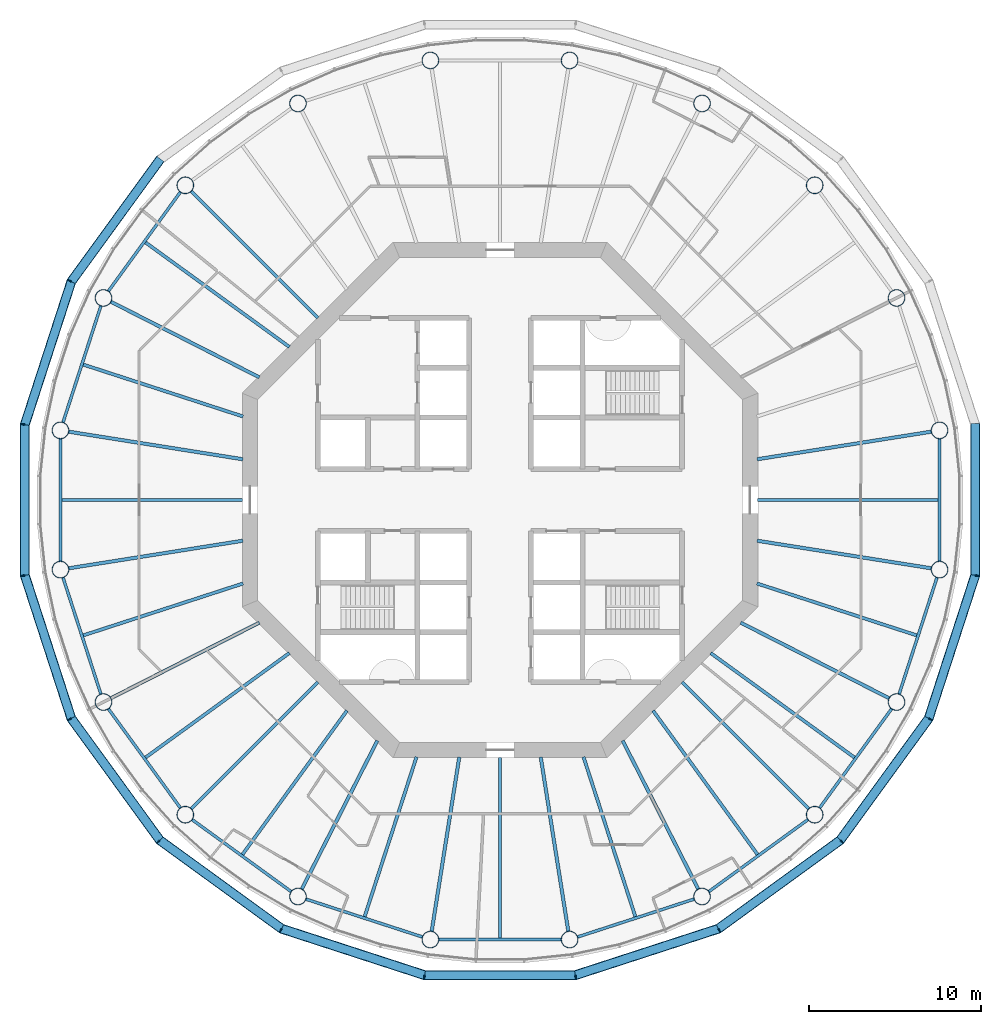
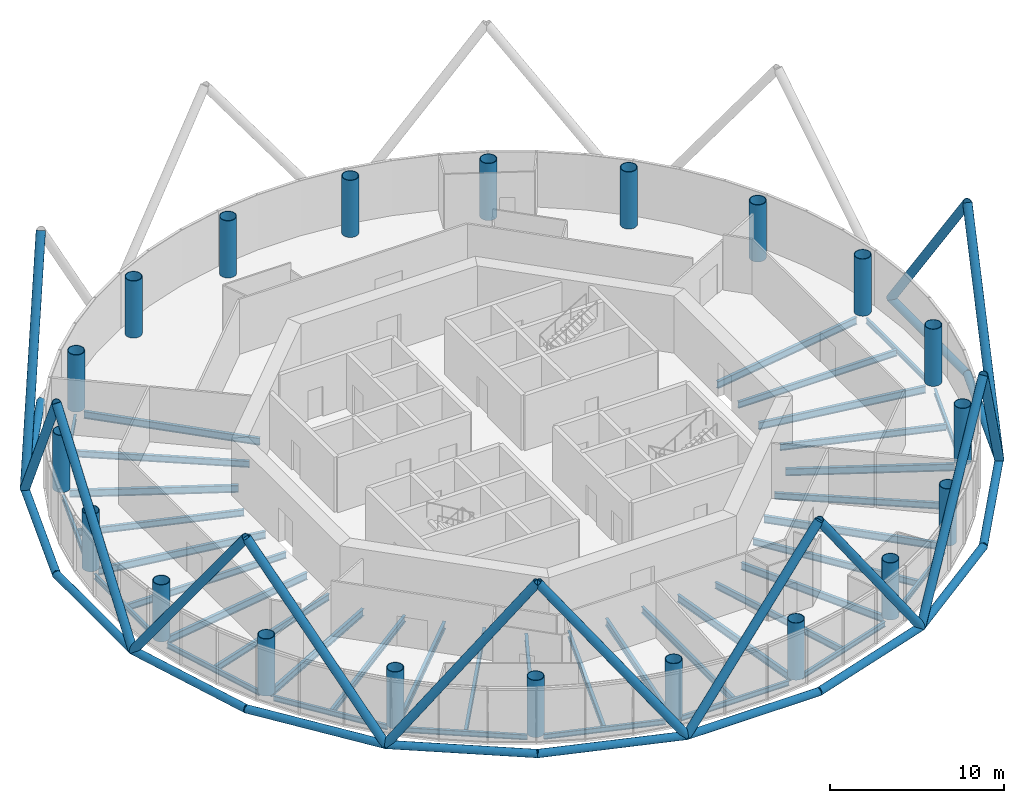
# One storey, part 1 of 13: 40 beams, 26 members, 20 columns.
"""IFC4 building model written with IfcOpenShell, lengths in metres."""

from ifc_helpers import new_model, si_unit, direction, frame, origin, origin_2d, place, context, subcontext, project, spatial, circle, hollow_circle, i_section, extrude, material, material_profile, profile_set, type_object, element, save


model = new_model("IFC4")

# Units and contexts
model_context = context("Model", 3, precision=1e-05, world=origin(), true_north=direction((0.0, 1.0)))
body_context = subcontext(model_context, "Body", "Model", "MODEL_VIEW")
ifc_project = project(units=[si_unit("LENGTHUNIT", "METRE"), si_unit("AREAUNIT", "SQUARE_METRE"), si_unit("VOLUMEUNIT", "CUBIC_METRE"), si_unit("PLANEANGLEUNIT", "RADIAN"), si_unit("MASSUNIT", "GRAM", prefix="KILO")], contexts=[model_context])

# Site, building, storey
site_placement = place(None, origin())
site = spatial("IfcSite", under=ifc_project, at=site_placement, CompositionType="ELEMENT")
building_placement = place(site_placement, origin())
building = spatial("IfcBuilding", under=site, at=building_placement, Name="Entoto Ring Tower", CompositionType="ELEMENT")
storey_placement = place(building_placement, frame((0.0, 0.0, 250.0)))
storey = spatial("IfcBuildingStorey", under=building, at=storey_placement, Name="L57", CompositionType="ELEMENT", Elevation=250.0)

# Columns
ifc_material_1 = material(Name="Steel S355", Category="steel")
ifc_material_profile_1 = material_profile(ifc_material_1, hollow_circle(Radius=0.5, WallThickness=0.0400390625, at=origin_2d()), Name="CHS 1000 x 40")
ifc_material_2 = material(Name="Concrete C60/75", Category="concrete")
ifc_material_profile_2 = material_profile(ifc_material_2, circle(Radius=0.4599609375, at=origin_2d()), Name="Concrete C60/75 infill")
ifc_profile_set_1 = profile_set([ifc_material_profile_1, ifc_material_profile_2], Name="Steel S355")
column_type = type_object("IfcColumnType", Name="Ring column 1000 x 40 concrete-filled tube", PredefinedType="COLUMN", material=ifc_profile_set_1)
for number, where, z_axis, x_axis, name in (
    (1, (115.5810546875, 84.0517578125, 0.0), (0.0, 0.0, 1.0), (1.0, 0.0, 0.0), "RC4 R01"),
    (2, (113.0771484375, 91.75830078125, 0.0), (0.0, 0.0, 1.0), (1.0, 0.0, 0.0), "RC4 R02"),
    (3, (108.31396484375, 98.31396484375, 0.0), (0.0, 0.0, 1.0), (1.0, 0.0, 0.0), "RC4 R03"),
    (4, (101.75830078125, 103.0771484375, 0.0), (0.0, 0.0, 1.0), (1.0, 0.0, 0.0), "RC4 R04"),
    (5, (94.0517578125, 105.5810546875, 0.0), (0.0, 0.0, 1.0), (1.0, 0.0, 0.0), "RC4 R05"),
    (6, (85.9482421875, 105.5810546875, 0.0), (0.0, 0.0, 1.0), (1.0, 0.0, 0.0), "RC4 R06"),
    (7, (78.24169921875, 103.0771484375, 0.0), (0.0, 0.0, 1.0), (1.0, 0.0, 0.0), "RC4 R07"),
    (8, (71.68603515625, 98.31396484375, 0.0), (0.0, 0.0, 1.0), (1.0, 0.0, 0.0), "RC4 R08"),
    (9, (66.9228515625, 91.75830078125, 0.0), (0.0, 0.0, 1.0), (1.0, 0.0, 0.0), "RC4 R09"),
    (10, (64.4189453125, 84.0517578125, 0.0), (0.0, 0.0, 1.0), (1.0, 0.0, 0.0), "RC4 R10"),
    (11, (64.4189453125, 75.9482421875, 0.0), (0.0, 0.0, 1.0), (1.0, 0.0, 0.0), "RC4 R11"),
    (12, (66.9228515625, 68.24169921875, 0.0), (0.0, 0.0, 1.0), (1.0, 0.0, 0.0), "RC4 R12"),
    (13, (71.68603515625, 61.68603515625, 0.0), (0.0, 0.0, 1.0), (1.0, 0.0, 0.0), "RC4 R13"),
    (14, (78.24169921875, 56.9228515625, 0.0), (0.0, 0.0, 1.0), (1.0, 0.0, 0.0), "RC4 R14"),
    (15, (85.9482421875, 54.4189453125, 0.0), (0.0, 0.0, 1.0), (1.0, 0.0, 0.0), "RC4 R15"),
    (16, (94.0517578125, 54.4189453125, 0.0), (0.0, 0.0, 1.0), (1.0, 0.0, 0.0), "RC4 R16"),
    (17, (101.75830078125, 56.9228515625, 0.0), (0.0, 0.0, 1.0), (1.0, 0.0, 0.0), "RC4 R17"),
    (18, (108.31396484375, 61.68603515625, 0.0), (0.0, 0.0, 1.0), (1.0, 0.0, 0.0), "RC4 R18"),
    (19, (113.0771484375, 68.24169921875, 0.0), (0.0, 0.0, 1.0), (1.0, 0.0, 0.0), "RC4 R19"),
    (20, (115.5810546875, 75.9482421875, 0.0), (0.0, 0.0, 1.0), (1.0, 0.0, 0.0), "RC4 R20"),
):
    element("IfcColumn", number, at=place(storey_placement, frame(where, z_axis=z_axis, x_axis=x_axis)), inside=storey, type_object=column_type, Name=name, PredefinedType="COLUMN", context=body_context, shape_type="SweptSolid", body=[
        extrude(hollow_circle(Radius=0.5, WallThickness=0.0400390625, at=origin_2d()), origin(), (0.0, 0.0, 1.0), 4.0),
    ])

# Members
ifc_material_3 = material(Name="Steel S355", Category="steel")
ifc_material_profile_3 = material_profile(ifc_material_3, hollow_circle(Radius=0.279541015625, WallThickness=0.028076171875, at=origin_2d()), Name="CHS 559 x 28")
ifc_material_4 = material(Name="Concrete C60/75", Category="concrete")
ifc_material_profile_4 = material_profile(ifc_material_4, circle(Radius=0.25146484375, at=origin_2d()), Name="Concrete C60/75 infill")
ifc_profile_set_2 = profile_set([ifc_material_profile_3, ifc_material_profile_4], Name="Steel S355")
member_type_1 = type_object("IfcMemberType", Name="Diagrid diagonal 559 x 28 concrete-filled tube", PredefinedType="BRACE", material=ifc_profile_set_2)
for number, where, z_axis, x_axis, name in (
    (21, (117.6552734375, 84.380126953125, 0.0), (0.0, -0.589622651769, 0.807678852342), (1.0, 0.0, 0.0), "DG5A module 19 01"),
    (22, (65.0517578125, 92.711669921875, 0.0), (0.346570479178, 0.477025319356, 0.807673045022), (-0.809024012567, 0.587775592458, 0.0), "DG5A module 19 09"),
    (23, (65.0517578125, 92.711669921875, 0.0), (-0.182200752594, -0.56076685453, 0.807677795049), (0.95105823263, -0.309011711991, 0.0), "DG5A module 19 10"),
    (24, (62.3447265625, 75.619873046875, 0.0), (0.0, 0.589622651769, 0.807678852342), (-1.0, 0.0, 0.0), "DG5A module 19 11"),
    (25, (62.3447265625, 75.619873046875, 0.0), (0.182200752594, -0.56076685453, 0.807677795049), (0.95105823263, 0.309011711991, 0.0), "DG5A module 19 12"),
    (26, (70.200927734375, 60.200927734375, 0.0), (-0.346570479178, 0.477025319356, 0.807673045022), (-0.809024012567, -0.587775592458, 0.0), "DG5A module 19 13"),
    (27, (70.200927734375, 60.200927734375, 0.0), (0.477025319356, -0.346570479178, 0.807673045022), (0.587775592458, 0.809024012567, 0.0), "DG5A module 19 14"),
    (28, (85.619873046875, 52.3447265625, 0.0), (-0.56076685453, 0.182200752594, 0.807677795049), (-0.309011711991, -0.95105823263, 0.0), "DG5A module 19 15"),
    (29, (85.619873046875, 52.3447265625, 0.0), (0.589622651769, 0.0, 0.807678852342), (0.0, 1.0, 0.0), "DG5A module 19 16"),
    (30, (102.711669921875, 55.0517578125, 0.0), (-0.56076685453, -0.182200752594, 0.807677795049), (0.309011711991, -0.95105823263, 0.0), "DG5A module 19 17"),
    (31, (102.711669921875, 55.0517578125, 0.0), (0.477025319356, 0.346570479178, 0.807673045022), (-0.587775592458, 0.809024012567, 0.0), "DG5A module 19 18"),
    (32, (114.9482421875, 67.288330078125, 0.0), (-0.346570479178, -0.477025319356, 0.807673045022), (0.809024012567, -0.587775592458, 0.0), "DG5A module 19 19"),
    (33, (114.9482421875, 67.288330078125, 0.0), (0.182200752594, 0.56076685453, 0.807677795049), (-0.95105823263, 0.309011711991, 0.0), "DG5A module 19 20"),
):
    element("IfcMember", number, at=place(storey_placement, frame(where, z_axis=z_axis, x_axis=x_axis)), inside=storey, type_object=member_type_1, Name=name, PredefinedType="BRACE", context=body_context, shape_type="SweptSolid", body=[
        extrude(hollow_circle(Radius=0.279541015625, WallThickness=0.028076171875, at=origin_2d()), origin(), (0.0, 0.0, 1.0), 14.857421875),
    ])
ifc_material_5 = material(Name="Steel S355", Category="steel")
ifc_material_profile_5 = material_profile(ifc_material_5, hollow_circle(Radius=0.25390625, WallThickness=0.030029296875, at=origin_2d()), Name="CHS 508 x 30")
ifc_material_6 = material(Name="Concrete C60/75", Category="concrete")
ifc_material_profile_6 = material_profile(ifc_material_6, circle(Radius=0.22412109375, at=origin_2d()), Name="Concrete C60/75 infill")
ifc_profile_set_3 = profile_set([ifc_material_profile_5, ifc_material_profile_6], Name="Steel S355")
member_type_2 = type_object("IfcMemberType", Name="Diagrid ring beam 508 x 30", PredefinedType="CHORD", material=ifc_profile_set_3)
for number, where, z_axis, x_axis, name in (
    (34, (70.236328125, 99.84765625, 0.0), (-0.587790766961, -0.809012987705, 0.0), (0.809012987705, -0.587790766961, 0.0), "DR2 ring 18 08"),
    (35, (65.0703125, 92.76904296875, 0.0), (-0.309002151976, -0.951061338755, 0.0), (0.951061338755, -0.309002151976, 0.0), "DR2 ring 18 09"),
):
    element("IfcMember", number, at=place(storey_placement, frame(where, z_axis=z_axis, x_axis=x_axis)), inside=storey, type_object=member_type_2, Name=name, PredefinedType="CHORD", context=body_context, shape_type="SweptSolid", body=[
        extrude(hollow_circle(Radius=0.25390625, WallThickness=0.030029296875, at=origin_2d()), origin(), (0.0, 0.0, 1.0), 8.880615234375),
    ])
member_1_placement = place(storey_placement, frame((62.3447265625, 84.4404296875, 0.0), z_axis=(0.0, -1.0, 0.0), x_axis=(1.0, 0.0, 0.0)))
element("IfcMember", 36, at=member_1_placement, inside=storey, type_object=member_type_2, Name="DR2 ring 18 10", PredefinedType="CHORD", context=body_context, shape_type="SweptSolid", body=[
    extrude(hollow_circle(Radius=0.25390625, WallThickness=0.030029296875, at=origin_2d()), origin(), (0.0, 0.0, 1.0), 8.880859375),
])
for number, where, z_axis, x_axis, name in (
    (37, (62.326171875, 75.677001953125, 0.0), (0.309002151976, -0.951061338755, 0.0), (0.951061338755, 0.309002151976, 0.0), "DR2 ring 18 11"),
    (38, (65.016357421875, 67.3369140625, 0.0), (0.587790766961, -0.809012987705, 0.0), (0.809012987705, 0.587790766961, 0.0), "DR2 ring 18 12"),
    (39, (70.15234375, 60.236328125, 0.0), (0.809012987705, -0.587790766961, 0.0), (0.587790766961, 0.809012987705, 0.0), "DR2 ring 18 13"),
    (40, (77.23095703125, 55.0703125, 0.0), (0.951061338755, -0.309002151976, 0.0), (0.309002151976, 0.951061338755, 0.0), "DR2 ring 18 14"),
):
    element("IfcMember", number, at=place(storey_placement, frame(where, z_axis=z_axis, x_axis=x_axis)), inside=storey, type_object=member_type_2, Name=name, PredefinedType="CHORD", context=body_context, shape_type="SweptSolid", body=[
        extrude(hollow_circle(Radius=0.25390625, WallThickness=0.030029296875, at=origin_2d()), origin(), (0.0, 0.0, 1.0), 8.880615234375),
    ])
member_2_placement = place(storey_placement, frame((85.5595703125, 52.3447265625, 0.0), z_axis=(1.0, 0.0, 0.0), x_axis=(0.0, 1.0, 0.0)))
element("IfcMember", 41, at=member_2_placement, inside=storey, type_object=member_type_2, Name="DR2 ring 18 15", PredefinedType="CHORD", context=body_context, shape_type="SweptSolid", body=[
    extrude(hollow_circle(Radius=0.25390625, WallThickness=0.030029296875, at=origin_2d()), origin(), (0.0, 0.0, 1.0), 8.880859375),
])
for number, where, z_axis, x_axis, name in (
    (42, (94.322998046875, 52.326171875, 0.0), (0.951061338755, 0.309002151976, 0.0), (-0.309002151976, 0.951061338755, 0.0), "DR2 ring 18 16"),
    (43, (102.6630859375, 55.016357421875, 0.0), (0.809012987705, 0.587790766961, 0.0), (-0.587790766961, 0.809012987705, 0.0), "DR2 ring 18 17"),
    (44, (109.763671875, 60.15234375, 0.0), (0.587790766961, 0.809012987705, 0.0), (-0.809012987705, 0.587790766961, 0.0), "DR2 ring 18 18"),
    (45, (114.9296875, 67.23095703125, 0.0), (0.309002151976, 0.951061338755, 0.0), (-0.951061338755, 0.309002151976, 0.0), "DR2 ring 18 19"),
):
    element("IfcMember", number, at=place(storey_placement, frame(where, z_axis=z_axis, x_axis=x_axis)), inside=storey, type_object=member_type_2, Name=name, PredefinedType="CHORD", context=body_context, shape_type="SweptSolid", body=[
        extrude(hollow_circle(Radius=0.25390625, WallThickness=0.030029296875, at=origin_2d()), origin(), (0.0, 0.0, 1.0), 8.880615234375),
    ])
member_3_placement = place(storey_placement, frame((117.6552734375, 75.5595703125, 0.0), z_axis=(0.0, 1.0, 0.0), x_axis=(-1.0, 0.0, 0.0)))
element("IfcMember", 46, at=member_3_placement, inside=storey, type_object=member_type_2, Name="DR2 ring 18 20", PredefinedType="CHORD", context=body_context, shape_type="SweptSolid", body=[
    extrude(hollow_circle(Radius=0.25390625, WallThickness=0.030029296875, at=origin_2d()), origin(), (0.0, 0.0, 1.0), 8.880859375),
])

# Beams
ifc_material_7 = material(Name="Steel S355", Category="steel")
ifc_material_profile_7 = material_profile(ifc_material_7, i_section(OverallWidth=0.169921875, OverallDepth=0.360107421875, WebThickness=0.008056640625, FlangeThickness=0.0126953125, FilletRadius=0.01806640625, at=origin_2d()), Name="IPE 360")
ifc_profile_set_4 = profile_set([ifc_material_profile_7], Name="Steel S355")
beam_type_1 = type_object("IfcBeamType", Name="Edge beam IPE 360", PredefinedType="SPANDREL", material=ifc_profile_set_4)
beam_1_placement = place(storey_placement, frame((71.408203125, 97.931640625, -0.330078125), z_axis=(-0.587794432314, -0.809010324619, 0.0), x_axis=(0.809010324619, -0.587794432314, 0.0)))
element("IfcBeam", 47, at=beam_1_placement, inside=storey, type_object=beam_type_1, Name="Edge beam L57 08", PredefinedType="SPANDREL", context=body_context, shape_type="SweptSolid", body=[
    extrude(i_section(OverallWidth=0.169921875, OverallDepth=0.360107421875, WebThickness=0.008056640625, FlangeThickness=0.0126953125, FilletRadius=0.01806640625, at=origin_2d()), origin(), (0.0, 0.0, 1.0), 7.158203125),
])
beam_2_placement = place(storey_placement, frame((66.77685546875, 91.308837890625, -0.330078125), z_axis=(-0.309015118354, -0.951057125849, 0.0), x_axis=(0.951057125849, -0.309015118354, 0.0)))
element("IfcBeam", 48, at=beam_2_placement, inside=storey, type_object=beam_type_1, Name="Edge beam L57 09", PredefinedType="SPANDREL", context=body_context, shape_type="SweptSolid", body=[
    extrude(i_section(OverallWidth=0.169921875, OverallDepth=0.360107421875, WebThickness=0.008056640625, FlangeThickness=0.0126953125, FilletRadius=0.01806640625, at=origin_2d()), origin(), (0.0, 0.0, 1.0), 7.157958984375),
])
beam_3_placement = place(storey_placement, frame((64.4189453125, 83.5791015625, -0.330078125), z_axis=(0.0, -1.0, 0.0), x_axis=(1.0, 0.0, 0.0)))
element("IfcBeam", 49, at=beam_3_placement, inside=storey, type_object=beam_type_1, Name="Edge beam L57 10", PredefinedType="SPANDREL", context=body_context, shape_type="SweptSolid", body=[
    extrude(i_section(OverallWidth=0.169921875, OverallDepth=0.360107421875, WebThickness=0.008056640625, FlangeThickness=0.0126953125, FilletRadius=0.01806640625, at=origin_2d()), origin(), (0.0, 0.0, 1.0), 7.158203125),
])
beam_4_placement = place(storey_placement, frame((64.56494140625, 75.498779296875, -0.330078125), z_axis=(0.309015118354, -0.951057125849, 0.0), x_axis=(0.951057125849, 0.309015118354, 0.0)))
element("IfcBeam", 50, at=beam_4_placement, inside=storey, type_object=beam_type_1, Name="Edge beam L57 11", PredefinedType="SPANDREL", context=body_context, shape_type="SweptSolid", body=[
    extrude(i_section(OverallWidth=0.169921875, OverallDepth=0.360107421875, WebThickness=0.008056640625, FlangeThickness=0.0126953125, FilletRadius=0.01806640625, at=origin_2d()), origin(), (0.0, 0.0, 1.0), 7.157958984375),
])
for number, where, z_axis, x_axis, name in (
    (51, (67.20068359375, 67.859375, -0.330078125), (0.587794432314, -0.809010324619, 0.0), (0.809010324619, 0.587794432314, 0.0), "Edge beam L57 12"),
    (52, (72.068359375, 61.408203125, -0.330078125), (0.809010324619, -0.587794432314, 0.0), (0.587794432314, 0.809010324619, 0.0), "Edge beam L57 13"),
):
    element("IfcBeam", number, at=place(storey_placement, frame(where, z_axis=z_axis, x_axis=x_axis)), inside=storey, type_object=beam_type_1, Name=name, PredefinedType="SPANDREL", context=body_context, shape_type="SweptSolid", body=[
        extrude(i_section(OverallWidth=0.169921875, OverallDepth=0.360107421875, WebThickness=0.008056640625, FlangeThickness=0.0126953125, FilletRadius=0.01806640625, at=origin_2d()), origin(), (0.0, 0.0, 1.0), 7.158203125),
    ])
beam_5_placement = place(storey_placement, frame((78.691162109375, 56.77685546875, -0.330078125), z_axis=(0.951057125849, -0.309015118354, 0.0), x_axis=(0.309015118354, 0.951057125849, 0.0)))
element("IfcBeam", 53, at=beam_5_placement, inside=storey, type_object=beam_type_1, Name="Edge beam L57 14", PredefinedType="SPANDREL", context=body_context, shape_type="SweptSolid", body=[
    extrude(i_section(OverallWidth=0.169921875, OverallDepth=0.360107421875, WebThickness=0.008056640625, FlangeThickness=0.0126953125, FilletRadius=0.01806640625, at=origin_2d()), origin(), (0.0, 0.0, 1.0), 7.157958984375),
])
beam_6_placement = place(storey_placement, frame((86.4208984375, 54.4189453125, -0.330078125), z_axis=(1.0, 0.0, 0.0), x_axis=(0.0, 1.0, 0.0)))
element("IfcBeam", 54, at=beam_6_placement, inside=storey, type_object=beam_type_1, Name="Edge beam L57 15", PredefinedType="SPANDREL", context=body_context, shape_type="SweptSolid", body=[
    extrude(i_section(OverallWidth=0.169921875, OverallDepth=0.360107421875, WebThickness=0.008056640625, FlangeThickness=0.0126953125, FilletRadius=0.01806640625, at=origin_2d()), origin(), (0.0, 0.0, 1.0), 7.158203125),
])
beam_7_placement = place(storey_placement, frame((94.501220703125, 54.56494140625, -0.330078125), z_axis=(0.951057125849, 0.309015118354, 0.0), x_axis=(-0.309015118354, 0.951057125849, 0.0)))
element("IfcBeam", 55, at=beam_7_placement, inside=storey, type_object=beam_type_1, Name="Edge beam L57 16", PredefinedType="SPANDREL", context=body_context, shape_type="SweptSolid", body=[
    extrude(i_section(OverallWidth=0.169921875, OverallDepth=0.360107421875, WebThickness=0.008056640625, FlangeThickness=0.0126953125, FilletRadius=0.01806640625, at=origin_2d()), origin(), (0.0, 0.0, 1.0), 7.157958984375),
])
for number, where, z_axis, x_axis, name in (
    (56, (102.140625, 57.20068359375, -0.330078125), (0.809010324619, 0.587794432314, 0.0), (-0.587794432314, 0.809010324619, 0.0), "Edge beam L57 17"),
    (57, (108.591796875, 62.068359375, -0.330078125), (0.587794432314, 0.809010324619, 0.0), (-0.809010324619, 0.587794432314, 0.0), "Edge beam L57 18"),
):
    element("IfcBeam", number, at=place(storey_placement, frame(where, z_axis=z_axis, x_axis=x_axis)), inside=storey, type_object=beam_type_1, Name=name, PredefinedType="SPANDREL", context=body_context, shape_type="SweptSolid", body=[
        extrude(i_section(OverallWidth=0.169921875, OverallDepth=0.360107421875, WebThickness=0.008056640625, FlangeThickness=0.0126953125, FilletRadius=0.01806640625, at=origin_2d()), origin(), (0.0, 0.0, 1.0), 7.158203125),
    ])
beam_8_placement = place(storey_placement, frame((113.22314453125, 68.691162109375, -0.330078125), z_axis=(0.309015118354, 0.951057125849, 0.0), x_axis=(-0.951057125849, 0.309015118354, 0.0)))
element("IfcBeam", 58, at=beam_8_placement, inside=storey, type_object=beam_type_1, Name="Edge beam L57 19", PredefinedType="SPANDREL", context=body_context, shape_type="SweptSolid", body=[
    extrude(i_section(OverallWidth=0.169921875, OverallDepth=0.360107421875, WebThickness=0.008056640625, FlangeThickness=0.0126953125, FilletRadius=0.01806640625, at=origin_2d()), origin(), (0.0, 0.0, 1.0), 7.157958984375),
])
beam_9_placement = place(storey_placement, frame((115.5810546875, 76.4208984375, -0.330078125), z_axis=(0.0, 1.0, 0.0), x_axis=(-1.0, 0.0, 0.0)))
element("IfcBeam", 59, at=beam_9_placement, inside=storey, type_object=beam_type_1, Name="Edge beam L57 20", PredefinedType="SPANDREL", context=body_context, shape_type="SweptSolid", body=[
    extrude(i_section(OverallWidth=0.169921875, OverallDepth=0.360107421875, WebThickness=0.008056640625, FlangeThickness=0.0126953125, FilletRadius=0.01806640625, at=origin_2d()), origin(), (0.0, 0.0, 1.0), 7.158203125),
])
ifc_material_8 = material(Name="Steel S355", Category="steel")
ifc_material_profile_8 = material_profile(ifc_material_8, i_section(OverallWidth=0.199951171875, OverallDepth=0.5, WebThickness=0.01025390625, FlangeThickness=0.01611328125, FilletRadius=0.02099609375, at=origin_2d()), Name="IPE 500")
ifc_profile_set_5 = profile_set([ifc_material_profile_8], Name="Steel S355")
beam_type_2 = type_object("IfcBeamType", Name="Primary floor beam IPE 500", PredefinedType="BEAM", material=ifc_profile_set_5)
beam_10_placement = place(storey_placement, frame((104.964599609375, 82.3701171875, -0.39990234375), z_axis=(0.987685619518, 0.156451644281, 0.0), x_axis=(-0.156451644281, 0.987685619518, 0.0)))
element("IfcBeam", 60, at=beam_10_placement, inside=storey, type_object=beam_type_2, Name="Primary L57 R01", PredefinedType="BEAM", context=body_context, shape_type="SweptSolid", body=[
    extrude(i_section(OverallWidth=0.199951171875, OverallDepth=0.5, WebThickness=0.01025390625, FlangeThickness=0.01611328125, FilletRadius=0.02099609375, at=origin_2d()), origin(), (0.0, 0.0, 1.0), 10.27880859375),
])
beam_11_placement = place(storey_placement, frame((79.407470703125, 90.592529296875, -0.39990234375), z_axis=(-0.707106781187, 0.707106781187, 0.0), x_axis=(-0.707106781187, -0.707106781187, 0.0)))
element("IfcBeam", 61, at=beam_11_placement, inside=storey, type_object=beam_type_2, Name="Primary L57 R08", PredefinedType="BEAM", context=body_context, shape_type="SweptSolid", body=[
    extrude(i_section(OverallWidth=0.199951171875, OverallDepth=0.5, WebThickness=0.01025390625, FlangeThickness=0.01611328125, FilletRadius=0.02099609375, at=origin_2d()), origin(), (0.0, 0.0, 1.0), 10.4501953125),
])
beam_12_placement = place(storey_placement, frame((75.993896484375, 87.136474609375, -0.39990234375), z_axis=(-0.891012442297, 0.45397888461, 0.0), x_axis=(-0.45397888461, -0.891012442297, 0.0)))
element("IfcBeam", 62, at=beam_12_placement, inside=storey, type_object=beam_type_2, Name="Primary L57 R09", PredefinedType="BEAM", context=body_context, shape_type="SweptSolid", body=[
    extrude(i_section(OverallWidth=0.199951171875, OverallDepth=0.5, WebThickness=0.01025390625, FlangeThickness=0.01611328125, FilletRadius=0.02099609375, at=origin_2d()), origin(), (0.0, 0.0, 1.0), 9.710693359375),
])
for number, where, z_axis, x_axis, name in (
    (63, (75.035400390625, 82.3701171875, -0.39990234375), (-0.987685619518, 0.156451644281, 0.0), (-0.156451644281, -0.987685619518, 0.0), "Primary L57 R10"),
    (64, (75.035400390625, 77.6298828125, -0.39990234375), (-0.987685619518, -0.156451644281, 0.0), (0.156451644281, -0.987685619518, 0.0), "Primary L57 R11"),
):
    element("IfcBeam", number, at=place(storey_placement, frame(where, z_axis=z_axis, x_axis=x_axis)), inside=storey, type_object=beam_type_2, Name=name, PredefinedType="BEAM", context=body_context, shape_type="SweptSolid", body=[
        extrude(i_section(OverallWidth=0.199951171875, OverallDepth=0.5, WebThickness=0.01025390625, FlangeThickness=0.01611328125, FilletRadius=0.02099609375, at=origin_2d()), origin(), (0.0, 0.0, 1.0), 10.27880859375),
    ])
beam_13_placement = place(storey_placement, frame((75.993896484375, 72.863525390625, -0.39990234375), z_axis=(-0.891012442297, -0.45397888461, 0.0), x_axis=(0.45397888461, -0.891012442297, 0.0)))
element("IfcBeam", 65, at=beam_13_placement, inside=storey, type_object=beam_type_2, Name="Primary L57 R12", PredefinedType="BEAM", context=body_context, shape_type="SweptSolid", body=[
    extrude(i_section(OverallWidth=0.199951171875, OverallDepth=0.5, WebThickness=0.01025390625, FlangeThickness=0.01611328125, FilletRadius=0.02099609375, at=origin_2d()), origin(), (0.0, 0.0, 1.0), 9.710693359375),
])
beam_14_placement = place(storey_placement, frame((79.407470703125, 69.407470703125, -0.39990234375), z_axis=(-0.707106781187, -0.707106781187, 0.0), x_axis=(0.707106781187, -0.707106781187, 0.0)))
element("IfcBeam", 66, at=beam_14_placement, inside=storey, type_object=beam_type_2, Name="Primary L57 R13", PredefinedType="BEAM", context=body_context, shape_type="SweptSolid", body=[
    extrude(i_section(OverallWidth=0.199951171875, OverallDepth=0.5, WebThickness=0.01025390625, FlangeThickness=0.01611328125, FilletRadius=0.02099609375, at=origin_2d()), origin(), (0.0, 0.0, 1.0), 10.4501953125),
])
beam_15_placement = place(storey_placement, frame((82.863525390625, 65.993896484375, -0.39990234375), z_axis=(-0.45397888461, -0.891012442297, 0.0), x_axis=(0.891012442297, -0.45397888461, 0.0)))
element("IfcBeam", 67, at=beam_15_placement, inside=storey, type_object=beam_type_2, Name="Primary L57 R14", PredefinedType="BEAM", context=body_context, shape_type="SweptSolid", body=[
    extrude(i_section(OverallWidth=0.199951171875, OverallDepth=0.5, WebThickness=0.01025390625, FlangeThickness=0.01611328125, FilletRadius=0.02099609375, at=origin_2d()), origin(), (0.0, 0.0, 1.0), 9.710693359375),
])
for number, where, z_axis, x_axis, name in (
    (68, (87.6298828125, 65.035400390625, -0.39990234375), (-0.156451644281, -0.987685619518, 0.0), (0.987685619518, -0.156451644281, 0.0), "Primary L57 R15"),
    (69, (92.3701171875, 65.035400390625, -0.39990234375), (0.156451644281, -0.987685619518, 0.0), (0.987685619518, 0.156451644281, 0.0), "Primary L57 R16"),
):
    element("IfcBeam", number, at=place(storey_placement, frame(where, z_axis=z_axis, x_axis=x_axis)), inside=storey, type_object=beam_type_2, Name=name, PredefinedType="BEAM", context=body_context, shape_type="SweptSolid", body=[
        extrude(i_section(OverallWidth=0.199951171875, OverallDepth=0.5, WebThickness=0.01025390625, FlangeThickness=0.01611328125, FilletRadius=0.02099609375, at=origin_2d()), origin(), (0.0, 0.0, 1.0), 10.27880859375),
    ])
beam_16_placement = place(storey_placement, frame((97.136474609375, 65.993896484375, -0.39990234375), z_axis=(0.45397888461, -0.891012442297, 0.0), x_axis=(0.891012442297, 0.45397888461, 0.0)))
element("IfcBeam", 70, at=beam_16_placement, inside=storey, type_object=beam_type_2, Name="Primary L57 R17", PredefinedType="BEAM", context=body_context, shape_type="SweptSolid", body=[
    extrude(i_section(OverallWidth=0.199951171875, OverallDepth=0.5, WebThickness=0.01025390625, FlangeThickness=0.01611328125, FilletRadius=0.02099609375, at=origin_2d()), origin(), (0.0, 0.0, 1.0), 9.710693359375),
])
beam_17_placement = place(storey_placement, frame((100.592529296875, 69.407470703125, -0.39990234375), z_axis=(0.707106781187, -0.707106781187, 0.0), x_axis=(0.707106781187, 0.707106781187, 0.0)))
element("IfcBeam", 71, at=beam_17_placement, inside=storey, type_object=beam_type_2, Name="Primary L57 R18", PredefinedType="BEAM", context=body_context, shape_type="SweptSolid", body=[
    extrude(i_section(OverallWidth=0.199951171875, OverallDepth=0.5, WebThickness=0.01025390625, FlangeThickness=0.01611328125, FilletRadius=0.02099609375, at=origin_2d()), origin(), (0.0, 0.0, 1.0), 10.4501953125),
])
beam_18_placement = place(storey_placement, frame((104.006103515625, 72.863525390625, -0.39990234375), z_axis=(0.891012442297, -0.45397888461, 0.0), x_axis=(0.45397888461, 0.891012442297, 0.0)))
element("IfcBeam", 72, at=beam_18_placement, inside=storey, type_object=beam_type_2, Name="Primary L57 R19", PredefinedType="BEAM", context=body_context, shape_type="SweptSolid", body=[
    extrude(i_section(OverallWidth=0.199951171875, OverallDepth=0.5, WebThickness=0.01025390625, FlangeThickness=0.01611328125, FilletRadius=0.02099609375, at=origin_2d()), origin(), (0.0, 0.0, 1.0), 9.710693359375),
])
beam_19_placement = place(storey_placement, frame((104.964599609375, 77.6298828125, -0.39990234375), z_axis=(0.987685619518, -0.156451644281, 0.0), x_axis=(0.156451644281, 0.987685619518, 0.0)))
element("IfcBeam", 73, at=beam_19_placement, inside=storey, type_object=beam_type_2, Name="Primary L57 R20", PredefinedType="BEAM", context=body_context, shape_type="SweptSolid", body=[
    extrude(i_section(OverallWidth=0.199951171875, OverallDepth=0.5, WebThickness=0.01025390625, FlangeThickness=0.01611328125, FilletRadius=0.02099609375, at=origin_2d()), origin(), (0.0, 0.0, 1.0), 10.27880859375),
])
ifc_material_9 = material(Name="Steel S355", Category="steel")
ifc_material_profile_9 = material_profile(ifc_material_9, i_section(OverallWidth=0.18994140625, OverallDepth=0.449951171875, WebThickness=0.009521484375, FlangeThickness=0.0146484375, FilletRadius=0.02099609375, at=origin_2d()), Name="IPE 450")
ifc_profile_set_6 = profile_set([ifc_material_profile_9], Name="Steel S355")
beam_type_3 = type_object("IfcBeamType", Name="Secondary floor beam IPE 450", PredefinedType="JOIST", material=ifc_profile_set_6)
beam_20_placement = place(storey_placement, frame((77.741943359375, 88.906005859375, -0.375), z_axis=(-0.809010538485, 0.58779413796, 0.0), x_axis=(-0.58779413796, -0.809010538485, 0.0)))
element("IfcBeam", 74, at=beam_20_placement, inside=storey, type_object=beam_type_3, Name="Secondary beam L57 08", PredefinedType="JOIST", context=body_context, shape_type="SweptSolid", body=[
    extrude(i_section(OverallWidth=0.18994140625, OverallDepth=0.449951171875, WebThickness=0.009521484375, FlangeThickness=0.0146484375, FilletRadius=0.02099609375, at=origin_2d()), origin(), (0.0, 0.0, 1.0), 10.34423828125),
])
beam_21_placement = place(storey_placement, frame((75.04833984375, 84.858154296875, -0.375), z_axis=(-0.951061045963, 0.309003053144, 0.0), x_axis=(-0.309003053144, -0.951061045963, 0.0)))
element("IfcBeam", 75, at=beam_21_placement, inside=storey, type_object=beam_type_3, Name="Secondary beam L57 09", PredefinedType="JOIST", context=body_context, shape_type="SweptSolid", body=[
    extrude(i_section(OverallWidth=0.18994140625, OverallDepth=0.449951171875, WebThickness=0.009521484375, FlangeThickness=0.0146484375, FilletRadius=0.02099609375, at=origin_2d()), origin(), (0.0, 0.0, 1.0), 9.77490234375),
])
beam_22_placement = place(storey_placement, frame((75.02001953125, 80.0, -0.375), z_axis=(-1.0, 0.0, 0.0), x_axis=(0.0, -1.0, 0.0)))
element("IfcBeam", 76, at=beam_22_placement, inside=storey, type_object=beam_type_3, Name="Secondary beam L57 10", PredefinedType="JOIST", context=body_context, shape_type="SweptSolid", body=[
    extrude(i_section(OverallWidth=0.18994140625, OverallDepth=0.449951171875, WebThickness=0.009521484375, FlangeThickness=0.0146484375, FilletRadius=0.02099609375, at=origin_2d()), origin(), (0.0, 0.0, 1.0), 10.51611328125),
])
beam_23_placement = place(storey_placement, frame((75.04833984375, 75.141845703125, -0.375), z_axis=(-0.951061045963, -0.309003053144, 0.0), x_axis=(0.309003053144, -0.951061045963, 0.0)))
element("IfcBeam", 77, at=beam_23_placement, inside=storey, type_object=beam_type_3, Name="Secondary beam L57 11", PredefinedType="JOIST", context=body_context, shape_type="SweptSolid", body=[
    extrude(i_section(OverallWidth=0.18994140625, OverallDepth=0.449951171875, WebThickness=0.009521484375, FlangeThickness=0.0146484375, FilletRadius=0.02099609375, at=origin_2d()), origin(), (0.0, 0.0, 1.0), 9.77490234375),
])
for number, where, z_axis, x_axis, name in (
    (78, (77.741943359375, 71.093994140625, -0.375), (-0.809010538485, -0.58779413796, 0.0), (0.58779413796, -0.809010538485, 0.0), "Secondary beam L57 12"),
    (79, (81.093994140625, 67.741943359375, -0.375), (-0.58779413796, -0.809010538485, 0.0), (0.809010538485, -0.58779413796, 0.0), "Secondary beam L57 13"),
):
    element("IfcBeam", number, at=place(storey_placement, frame(where, z_axis=z_axis, x_axis=x_axis)), inside=storey, type_object=beam_type_3, Name=name, PredefinedType="JOIST", context=body_context, shape_type="SweptSolid", body=[
        extrude(i_section(OverallWidth=0.18994140625, OverallDepth=0.449951171875, WebThickness=0.009521484375, FlangeThickness=0.0146484375, FilletRadius=0.02099609375, at=origin_2d()), origin(), (0.0, 0.0, 1.0), 10.34423828125),
    ])
beam_24_placement = place(storey_placement, frame((85.141845703125, 65.04833984375, -0.375), z_axis=(-0.309003053144, -0.951061045963, 0.0), x_axis=(0.951061045963, -0.309003053144, 0.0)))
element("IfcBeam", 80, at=beam_24_placement, inside=storey, type_object=beam_type_3, Name="Secondary beam L57 14", PredefinedType="JOIST", context=body_context, shape_type="SweptSolid", body=[
    extrude(i_section(OverallWidth=0.18994140625, OverallDepth=0.449951171875, WebThickness=0.009521484375, FlangeThickness=0.0146484375, FilletRadius=0.02099609375, at=origin_2d()), origin(), (0.0, 0.0, 1.0), 9.77490234375),
])
beam_25_placement = place(storey_placement, frame((90.0, 65.02001953125, -0.375), z_axis=(0.0, -1.0, 0.0), x_axis=(1.0, 0.0, 0.0)))
element("IfcBeam", 81, at=beam_25_placement, inside=storey, type_object=beam_type_3, Name="Secondary beam L57 15", PredefinedType="JOIST", context=body_context, shape_type="SweptSolid", body=[
    extrude(i_section(OverallWidth=0.18994140625, OverallDepth=0.449951171875, WebThickness=0.009521484375, FlangeThickness=0.0146484375, FilletRadius=0.02099609375, at=origin_2d()), origin(), (0.0, 0.0, 1.0), 10.51611328125),
])
beam_26_placement = place(storey_placement, frame((94.858154296875, 65.04833984375, -0.375), z_axis=(0.309003053144, -0.951061045963, 0.0), x_axis=(0.951061045963, 0.309003053144, 0.0)))
element("IfcBeam", 82, at=beam_26_placement, inside=storey, type_object=beam_type_3, Name="Secondary beam L57 16", PredefinedType="JOIST", context=body_context, shape_type="SweptSolid", body=[
    extrude(i_section(OverallWidth=0.18994140625, OverallDepth=0.449951171875, WebThickness=0.009521484375, FlangeThickness=0.0146484375, FilletRadius=0.02099609375, at=origin_2d()), origin(), (0.0, 0.0, 1.0), 9.77490234375),
])
for number, where, z_axis, x_axis, name in (
    (83, (98.906005859375, 67.741943359375, -0.375), (0.58779413796, -0.809010538485, 0.0), (0.809010538485, 0.58779413796, 0.0), "Secondary beam L57 17"),
    (84, (102.258056640625, 71.093994140625, -0.375), (0.809010538485, -0.58779413796, 0.0), (0.58779413796, 0.809010538485, 0.0), "Secondary beam L57 18"),
):
    element("IfcBeam", number, at=place(storey_placement, frame(where, z_axis=z_axis, x_axis=x_axis)), inside=storey, type_object=beam_type_3, Name=name, PredefinedType="JOIST", context=body_context, shape_type="SweptSolid", body=[
        extrude(i_section(OverallWidth=0.18994140625, OverallDepth=0.449951171875, WebThickness=0.009521484375, FlangeThickness=0.0146484375, FilletRadius=0.02099609375, at=origin_2d()), origin(), (0.0, 0.0, 1.0), 10.34423828125),
    ])
beam_27_placement = place(storey_placement, frame((104.95166015625, 75.141845703125, -0.375), z_axis=(0.951061045963, -0.309003053144, 0.0), x_axis=(0.309003053144, 0.951061045963, 0.0)))
element("IfcBeam", 85, at=beam_27_placement, inside=storey, type_object=beam_type_3, Name="Secondary beam L57 19", PredefinedType="JOIST", context=body_context, shape_type="SweptSolid", body=[
    extrude(i_section(OverallWidth=0.18994140625, OverallDepth=0.449951171875, WebThickness=0.009521484375, FlangeThickness=0.0146484375, FilletRadius=0.02099609375, at=origin_2d()), origin(), (0.0, 0.0, 1.0), 9.77490234375),
])
beam_28_placement = place(storey_placement, frame((104.97998046875, 80.0, -0.375), z_axis=(1.0, 0.0, 0.0), x_axis=(0.0, 1.0, 0.0)))
element("IfcBeam", 86, at=beam_28_placement, inside=storey, type_object=beam_type_3, Name="Secondary beam L57 20", PredefinedType="JOIST", context=body_context, shape_type="SweptSolid", body=[
    extrude(i_section(OverallWidth=0.18994140625, OverallDepth=0.449951171875, WebThickness=0.009521484375, FlangeThickness=0.0146484375, FilletRadius=0.02099609375, at=origin_2d()), origin(), (0.0, 0.0, 1.0), 10.51611328125),
])

save(model, "model.ifc")
